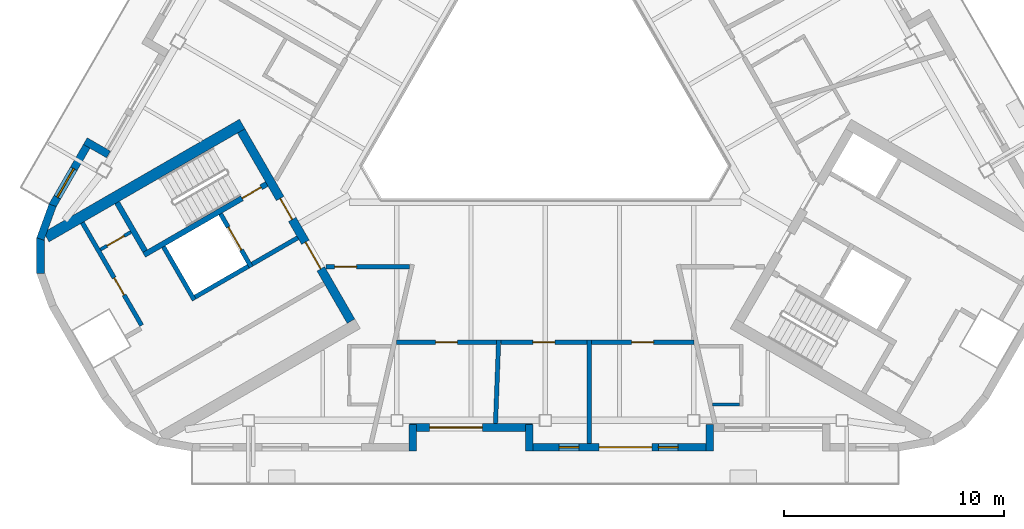
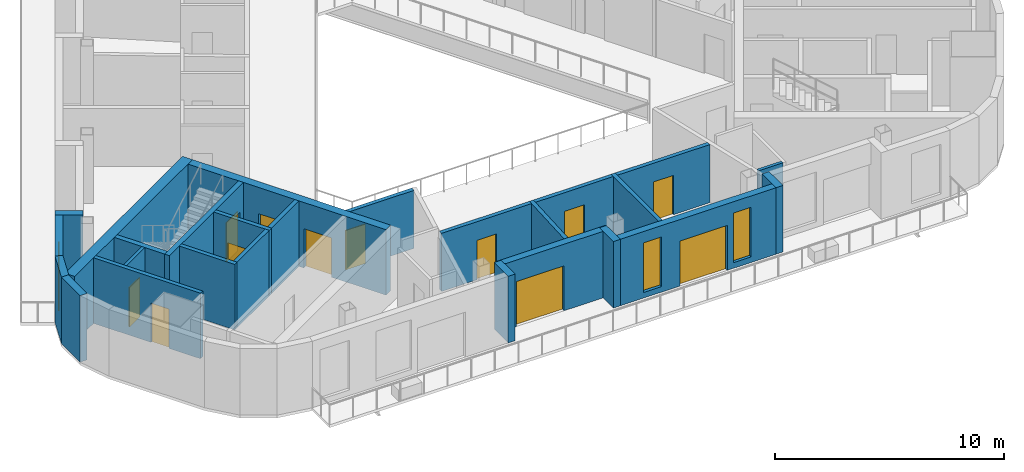
# One storey, part 3 of 12: 26 walls, 12 doors, 3 windows, 15 openings.
"""IFC4 building model written with IfcOpenShell, lengths in metres."""

from ifc_helpers import new_model, si_unit, direction, frame, frame_2d, origin, place, context, subcontext, project, spatial, rectangle, extrude, material, layer, layer_set, type_object, element, fill, save


model = new_model("IFC4")

# Units and contexts
model_context = context("Model", 3, precision=1e-05, world=origin(), true_north=direction((0.0, 1.0)))
body_context = subcontext(model_context, "Body", "Model", "MODEL_VIEW")
ifc_project = project(units=[si_unit("LENGTHUNIT", "METRE"), si_unit("AREAUNIT", "SQUARE_METRE"), si_unit("VOLUMEUNIT", "CUBIC_METRE"), si_unit("PLANEANGLEUNIT", "RADIAN"), si_unit("MASSUNIT", "GRAM", prefix="KILO")], contexts=[model_context])

# Site, building, storey
site_placement = place(None, origin())
site = spatial("IfcSite", under=ifc_project, at=site_placement, CompositionType="ELEMENT")
building_placement = place(site_placement, origin())
building = spatial("IfcBuilding", under=site, at=building_placement, Name="Apuvela Tower Hotel", CompositionType="ELEMENT")
storey_placement = place(building_placement, frame((0.0, 0.0, 305.89990234375)))
storey = spatial("IfcBuildingStorey", under=building, at=storey_placement, Name="L76", CompositionType="ELEMENT", Elevation=305.89990234375)

# Wall, openings, doors
ifc_material_1 = material(Name="Concrete C50/60", Category="concrete")
ifc_layer_1 = layer(ifc_material_1, 0.39990234375)
ifc_layer_set_1 = layer_set([ifc_layer_1], Name="COR-WALL-CORE-400")
wall_type_1 = type_object("IfcWallType", Name="COR-WALL-CORE-400", PredefinedType="SHEAR", material=ifc_layer_set_1)
wall_1_placement = place(storey_placement, frame((-13.844970703125, -2.219970703125, 0.0), z_axis=(0.0, 0.0, 1.0), x_axis=(0.500004234368, -0.866022959057, 0.0)))
wall_1 = element("IfcWall", 1, at=wall_1_placement, inside=storey, type_object=wall_type_1, Name="Core wall SW", PredefinedType="SHEAR", context=body_context, shape_type="SweptSolid", body=[
    extrude(rectangle(XDim=10.0, YDim=0.39990234375, at=frame_2d((5.0, 0.0))), origin(), (0.0, 0.0, 1.0), 3.5),
])
opening_1_placement = place(wall_1_placement, frame((3.550048828125, 0.0, 0.0)))
opening_1 = element("IfcOpeningElement", 2, at=opening_1_placement, cuts=wall_1, Name="Opening W-FD", PredefinedType="OPENING", context=body_context, shape_type="SweptSolid", body=[
    extrude(rectangle(XDim=1.10009765625, YDim=2.10009765625, at=frame_2d((0.550048828125, 1.050048828125))), frame((0.0, 0.2099609375, 0.0), z_axis=(0.0, -1.0, 0.0), x_axis=(1.0, 0.0, 0.0)), (0.0, 0.0, 1.0), 0.419921875),
])
opening_2_placement = place(wall_1_placement, frame((5.85009765625, 0.0, 0.0)))
opening_2 = element("IfcOpeningElement", 3, at=opening_2_placement, cuts=wall_1, Name="Opening W-GD", PredefinedType="OPENING", context=body_context, shape_type="SweptSolid", body=[
    extrude(rectangle(XDim=1.39990234375, YDim=2.10009765625, at=frame_2d((0.699951171875, 1.050048828125))), frame((0.0, 0.2099609375, 0.0), z_axis=(0.0, -1.0, 0.0), x_axis=(1.0, 0.0, 0.0)), (0.0, 0.0, 1.0), 0.419921875),
])
ifc_material_2 = material(Name="Steel fire door, powder coated", Category="steel")
door_type_1 = type_object("IfcDoorType", Name="COR-FD-1100", OperationType="NOTDEFINED", PredefinedType="DOOR", material=ifc_material_2)
door_1_placement = place(opening_1_placement, frame((1.10009765625, 0.0, 0.0), z_axis=(0.0, 0.0, 1.0), x_axis=(-1.0, 0.0, 0.0)))
door_1 = element("IfcDoor", 4, at=door_1_placement, inside=storey, type_object=door_type_1, Name="Firefighting lobby door W-FD", OperationType="SINGLE_SWING_LEFT", OverallHeight=2.10009765625, OverallWidth=1.10009765625, PredefinedType="DOOR", context=body_context, shape_type="SweptSolid", body=[
    extrude(rectangle(XDim=1.10009765625, YDim=2.10009765625, at=frame_2d((0.550048828125, 1.050048828125))), frame((0.0, 0.02490234375, 0.0), z_axis=(0.0, -1.0, 0.0), x_axis=(1.0, 0.0, 0.0)), (0.0, 0.0, 1.0), 0.050048828125),
])
fill(opening_1, door_1)
ifc_material_3 = material(Name="Glazed steel fire door", Category="steel")
door_type_2 = type_object("IfcDoorType", Name="COR-GD-1400", OperationType="DOUBLE_DOOR_SINGLE_SWING", PredefinedType="DOOR", material=ifc_material_3)
door_2_placement = place(opening_2_placement, frame((1.39990234375, 0.0, 0.0), z_axis=(0.0, 0.0, 1.0), x_axis=(-1.0, 0.0, 0.0)))
door_2 = element("IfcDoor", 5, at=door_2_placement, inside=storey, type_object=door_type_2, Name="Lift lobby door W-GD", OperationType="DOUBLE_DOOR_SINGLE_SWING", OverallHeight=2.10009765625, OverallWidth=1.39990234375, PredefinedType="DOOR", context=body_context, shape_type="SweptSolid", body=[
    extrude(rectangle(XDim=1.39990234375, YDim=2.10009765625, at=frame_2d((0.699951171875, 1.050048828125))), frame((0.0, 0.02490234375, 0.0), z_axis=(0.0, -1.0, 0.0), x_axis=(1.0, 0.0, 0.0)), (0.0, 0.0, 1.0), 0.050048828125),
])
fill(opening_2, door_2)

# Wall
ifc_layer_2 = layer(ifc_material_1, 0.5)
ifc_layer_set_2 = layer_set([ifc_layer_2], Name="COR-WALL-CORE-500")
wall_type_2 = type_object("IfcWallType", Name="COR-WALL-CORE-500", PredefinedType="SHEAR", material=ifc_layer_set_2)
wall_2_placement = place(storey_placement, frame((-13.796630859375, -1.9033203125, 0.0), z_axis=(0.0, 0.0, 1.0), x_axis=(-0.866027279078, -0.499996751883, 0.0)))
element("IfcWall", 6, at=wall_2_placement, inside=storey, type_object=wall_type_2, Name="Core wall SW", PredefinedType="SHEAR", context=body_context, shape_type="SweptSolid", body=[
    extrude(rectangle(XDim=10.29833984375, YDim=0.5, at=frame_2d((5.149169921875, 0.0))), origin(), (0.0, 0.0, 1.0), 3.5),
])

# Wall, opening, door
ifc_material_4 = material(Name="Blockwork 150 mm plastered", Category="masonry")
ifc_layer_3 = layer(ifc_material_4, 0.14990234375)
ifc_layer_set_3 = layer_set([ifc_layer_3], Name="COR-WALL-PART-150")
wall_type_3 = type_object("IfcWallType", Name="COR-WALL-PART-150", PredefinedType="PARTITIONING", material=ifc_layer_set_3)
wall_3_placement = place(storey_placement, frame((-18.866455078125, -6.822265625, 0.0), z_axis=(0.0, 0.0, 1.0), x_axis=(-0.866028054938, -0.499995408039, 0.0)))
wall_3 = element("IfcWall", 7, at=wall_3_placement, inside=storey, type_object=wall_type_3, Name="Partition SW", PredefinedType="PARTITIONING", context=body_context, shape_type="SweptSolid", body=[
    extrude(rectangle(XDim=1.60009765625, YDim=0.14990234375, at=frame_2d((0.800048828125, 0.0))), origin(), (0.0, 0.0, 1.0), 3.5),
])
opening_3_placement = place(wall_3_placement, frame((0.35009765625, 0.0, 0.0)))
opening_3 = element("IfcOpeningElement", 8, at=opening_3_placement, cuts=wall_3, Name="Opening W-RD", PredefinedType="OPENING", context=body_context, shape_type="SweptSolid", body=[
    extrude(rectangle(XDim=0.89990234375, YDim=2.10009765625, at=frame_2d((0.449951171875, 1.050048828125))), frame((0.0, 0.0849609375, 0.0), z_axis=(0.0, -1.0, 0.0), x_axis=(1.0, 0.0, 0.0)), (0.0, 0.0, 1.0), 0.169921875),
])
ifc_material_5 = material(Name="Steel access door, powder coated", Category="steel")
door_type_3 = type_object("IfcDoorType", Name="COR-RD-900", OperationType="NOTDEFINED", PredefinedType="DOOR", material=ifc_material_5)
door_3_placement = place(opening_3_placement, frame((0.89990234375, 0.0, 0.0), z_axis=(0.0, 0.0, 1.0), x_axis=(-1.0, 0.0, 0.0)))
door_3 = element("IfcDoor", 9, at=door_3_placement, inside=storey, type_object=door_type_3, Name="Riser door W-RD", OperationType="SINGLE_SWING_RIGHT", OverallHeight=2.10009765625, OverallWidth=0.89990234375, PredefinedType="DOOR", context=body_context, shape_type="SweptSolid", body=[
    extrude(rectangle(XDim=0.89990234375, YDim=2.10009765625, at=frame_2d((0.449951171875, 1.050048828125))), frame((0.0, 0.02490234375, 0.0), z_axis=(0.0, -1.0, 0.0), x_axis=(1.0, 0.0, 0.0)), (0.0, 0.0, 1.0), 0.050048828125),
])
fill(opening_3, door_3)

ifc_material_6 = material(Name="Blockwork 200 mm plastered", Category="masonry")
ifc_layer_4 = layer(ifc_material_6, 0.199951171875)
ifc_layer_set_4 = layer_set([ifc_layer_4], Name="COR-WALL-PART-200")
wall_type_4 = type_object("IfcWallType", Name="COR-WALL-PART-200", PredefinedType="PARTITIONING", material=ifc_layer_set_4)
wall_4_placement = place(storey_placement, frame((-21.076171875, -6.39501953125, 0.0), z_axis=(0.0, 0.0, 1.0), x_axis=(0.50001468107, -0.866016927499, 0.0)))
wall_4 = element("IfcWall", 10, at=wall_4_placement, inside=storey, type_object=wall_type_4, Name="Partition SW", PredefinedType="PARTITIONING", context=body_context, shape_type="SweptSolid", body=[
    extrude(rectangle(XDim=5.399658203125, YDim=0.199951171875, at=frame_2d((2.69970703125, 0.0))), origin(), (0.0, 0.0, 1.0), 3.5),
])
opening_4_placement = place(wall_4_placement, frame((2.89990234375, 0.0, 0.0)))
opening_4 = element("IfcOpeningElement", 11, at=opening_4_placement, cuts=wall_4, Name="Opening W-RS1", PredefinedType="OPENING", context=body_context, shape_type="SweptSolid", body=[
    extrude(rectangle(XDim=0.89990234375, YDim=2.10009765625, at=frame_2d((0.449951171875, 1.050048828125))), frame((0.0, 0.10986328125, 0.0), z_axis=(0.0, -1.0, 0.0), x_axis=(1.0, 0.0, 0.0)), (0.0, 0.0, 1.0), 0.219970703125),
])
door_type_4 = type_object("IfcDoorType", Name="COR-DR-900", OperationType="NOTDEFINED", PredefinedType="DOOR", material=ifc_material_2)
door_4_placement = place(opening_4_placement, frame((0.89990234375, 0.0, 0.0), z_axis=(0.0, 0.0, 1.0), x_axis=(-1.0, 0.0, 0.0)))
door_4 = element("IfcDoor", 12, at=door_4_placement, inside=storey, type_object=door_type_4, Name="Store door W-RS1", OperationType="SINGLE_SWING_LEFT", OverallHeight=2.10009765625, OverallWidth=0.89990234375, PredefinedType="DOOR", context=body_context, shape_type="SweptSolid", body=[
    extrude(rectangle(XDim=0.89990234375, YDim=2.10009765625, at=frame_2d((0.449951171875, 1.050048828125))), frame((0.0, 0.02490234375, 0.0), z_axis=(0.0, -1.0, 0.0), x_axis=(1.0, 0.0, 0.0)), (0.0, 0.0, 1.0), 0.050048828125),
])
fill(opening_4, door_4)

# Wall
ifc_layer_5 = layer(ifc_material_1, 0.199951171875)
ifc_layer_set_5 = layer_set([ifc_layer_5], Name="COR-WALL-SHAFT-200")
wall_type_5 = type_object("IfcWallType", Name="COR-WALL-SHAFT-200", PredefinedType="SHEAR", material=ifc_layer_set_5)
wall_5_placement = place(storey_placement, frame((-17.38134765625, -7.49462890625, 0.0), z_axis=(0.0, 0.0, 1.0), x_axis=(0.500011755427, -0.866018616679, 0.0)))
element("IfcWall", 13, at=wall_5_placement, inside=storey, type_object=wall_type_5, Name="Shaft wall SW", PredefinedType="SHEAR", context=body_context, shape_type="SweptSolid", body=[
    extrude(rectangle(XDim=2.80029296875, YDim=0.199951171875, at=frame_2d((1.400146484375, 0.0))), origin(), (0.0, 0.0, 1.0), 3.5),
])

# Wall, opening, door
wall_6_placement = place(storey_placement, frame((-14.783203125, -5.99462890625, 0.0), z_axis=(0.0, 0.0, 1.0), x_axis=(0.49994636267, -0.866056369097, 0.0)))
wall_6 = element("IfcWall", 14, at=wall_6_placement, inside=storey, type_object=wall_type_5, Name="Shaft wall SW", PredefinedType="SHEAR", context=body_context, shape_type="SweptSolid", body=[
    extrude(rectangle(XDim=2.800048828125, YDim=0.199951171875, at=frame_2d((1.39990234375, 0.0))), origin(), (0.0, 0.0, 1.0), 3.5),
])
opening_5_placement = place(wall_6_placement, frame((0.699951171875, 0.0, 0.0)))
opening_5 = element("IfcOpeningElement", 15, at=opening_5_placement, cuts=wall_6, Name="Opening W-LD-FS2", PredefinedType="OPENING", context=body_context, shape_type="SweptSolid", body=[
    extrude(rectangle(XDim=1.199951171875, YDim=2.10009765625, at=frame_2d((0.60009765625, 1.050048828125))), frame((0.0, 0.10986328125, 0.0), z_axis=(0.0, -1.0, 0.0), x_axis=(1.0, 0.0, 0.0)), (0.0, 0.0, 1.0), 0.219970703125),
])
ifc_material_7 = material(Name="Stainless steel lift landing door", Category="steel")
door_type_5 = type_object("IfcDoorType", Name="COR-LD-1200", OperationType="DOUBLE_DOOR_SLIDING", PredefinedType="DOOR", material=ifc_material_7)
door_5_placement = place(opening_5_placement, origin())
door_5 = element("IfcDoor", 16, at=door_5_placement, inside=storey, type_object=door_type_5, Name="Lift landing door W-LD-FS2", OperationType="DOUBLE_DOOR_SLIDING", OverallHeight=2.10009765625, OverallWidth=1.199951171875, PredefinedType="DOOR", context=body_context, shape_type="SweptSolid", body=[
    extrude(rectangle(XDim=1.199951171875, YDim=2.10009765625, at=frame_2d((0.60009765625, 1.050048828125))), frame((0.0, 0.02490234375, 0.0), z_axis=(0.0, -1.0, 0.0), x_axis=(1.0, 0.0, 0.0)), (0.0, 0.0, 1.0), 0.050048828125),
])
fill(opening_5, door_5)

# Walls
wall_7_placement = place(storey_placement, frame((-13.519775390625, -8.383056640625, 0.0), z_axis=(0.0, 0.0, 1.0), x_axis=(-0.866034573852, -0.49998411664, 0.0)))
element("IfcWall", 17, at=wall_7_placement, inside=storey, type_object=wall_type_5, Name="Shaft wall SW", PredefinedType="SHEAR", context=body_context, shape_type="SweptSolid", body=[
    extrude(rectangle(XDim=2.7998046875, YDim=0.199951171875, at=frame_2d((1.39990234375, 0.0))), origin(), (0.0, 0.0, 1.0), 3.5),
])
wall_8_placement = place(storey_placement, frame((-11.26806640625, -7.0830078125, 0.0), z_axis=(0.0, 0.0, 1.0), x_axis=(-0.866050077142, -0.499957262057, 0.0)))
element("IfcWall", 18, at=wall_8_placement, inside=storey, type_object=wall_type_5, Name="Shaft wall SW", PredefinedType="SHEAR", context=body_context, shape_type="SweptSolid", body=[
    extrude(rectangle(XDim=2.400146484375, YDim=0.199951171875, at=frame_2d((1.2001953125, 0.0))), origin(), (0.0, 0.0, 1.0), 3.5),
])

# Wall, opening, door
ifc_layer_6 = layer(ifc_material_1, 0.25)
ifc_layer_set_6 = layer_set([ifc_layer_6], Name="COR-WALL-STAIR-250")
wall_type_6 = type_object("IfcWallType", Name="COR-WALL-STAIR-250", PredefinedType="SHEAR", material=ifc_layer_set_6)
wall_9_placement = place(storey_placement, frame((-12.6806640625, -4.636474609375, 0.0), z_axis=(0.0, 0.0, 1.0), x_axis=(-0.866021702275, -0.500006411147, 0.0)))
wall_9 = element("IfcWall", 19, at=wall_9_placement, inside=storey, type_object=wall_type_6, Name="Stair wall SW", PredefinedType="SHEAR", context=body_context, shape_type="SweptSolid", body=[
    extrude(rectangle(XDim=6.4501953125, YDim=0.25, at=frame_2d((3.22509765625, 0.0))), origin(), (0.0, 0.0, 1.0), 3.5),
])
opening_6_placement = place(wall_9_placement, frame((0.300048828125, 0.0, 0.0)))
opening_6 = element("IfcOpeningElement", 20, at=opening_6_placement, cuts=wall_9, Name="Opening W-SD", PredefinedType="OPENING", context=body_context, shape_type="SweptSolid", body=[
    extrude(rectangle(XDim=1.0, YDim=2.10009765625, at=frame_2d((0.5, 1.050048828125))), frame((0.0, 0.135009765625, 0.0), z_axis=(0.0, -1.0, 0.0), x_axis=(1.0, 0.0, 0.0)), (0.0, 0.0, 1.0), 0.27001953125),
])
door_type_6 = type_object("IfcDoorType", Name="COR-SD-1000", OperationType="NOTDEFINED", PredefinedType="DOOR", material=ifc_material_2)
door_6_placement = place(opening_6_placement, frame((1.0, 0.0, 0.0), z_axis=(0.0, 0.0, 1.0), x_axis=(-1.0, 0.0, 0.0)))
door_6 = element("IfcDoor", 21, at=door_6_placement, inside=storey, type_object=door_type_6, Name="Stair door W-SD", OperationType="SINGLE_SWING_LEFT", OverallHeight=2.10009765625, OverallWidth=1.0, PredefinedType="DOOR", context=body_context, shape_type="SweptSolid", body=[
    extrude(rectangle(XDim=1.0, YDim=2.10009765625, at=frame_2d((0.5, 1.050048828125))), frame((0.0, 0.02490234375, 0.0), z_axis=(0.0, -1.0, 0.0), x_axis=(1.0, 0.0, 0.0)), (0.0, 0.0, 1.0), 0.050048828125),
])
fill(opening_6, door_6)

# Walls
wall_10_placement = place(storey_placement, frame((-19.49560546875, -5.482421875, 0.0), z_axis=(0.0, 0.0, 1.0), x_axis=(0.499990435942, -0.866030925526, 0.0)))
element("IfcWall", 22, at=wall_10_placement, inside=storey, type_object=wall_type_6, Name="Stair wall SW", PredefinedType="SHEAR", context=body_context, shape_type="SweptSolid", body=[
    extrude(rectangle(XDim=2.5498046875, YDim=0.25, at=frame_2d((1.27490234375, 0.0))), origin(), (0.0, 0.0, 1.0), 3.5),
])
ifc_material_8 = material(Name="Concrete C40/50, dark pigmented precast panel", Category="concrete")
ifc_layer_7 = layer(ifc_material_8, 0.35009765625)
ifc_layer_set_7 = layer_set([ifc_layer_7], Name="ENV-WALL-350")
wall_type_7 = type_object("IfcWallType", Name="ENV-WALL-350", PredefinedType="SOLIDWALL", material=ifc_layer_set_7)
wall_11_placement = place(storey_placement, frame((-19.88427734375, -3.291748046875, 0.0), z_axis=(0.0, 0.0, 1.0), x_axis=(-0.866005645448, 0.500034220881, 0.0)))
element("IfcWall", 23, at=wall_11_placement, inside=storey, type_object=wall_type_7, Name="External wall L76-08", PredefinedType="SOLIDWALL", context=body_context, shape_type="SweptSolid", body=[
    extrude(rectangle(XDim=1.22021484375, YDim=0.35009765625, at=frame_2d((0.610107421875, 0.0))), origin(), (0.0, 0.0, 1.0), 3.550048828125),
])

# Wall, opening, window
wall_12_placement = place(storey_placement, frame((-20.701904296875, -2.61767578125, 0.0), z_axis=(0.0, 0.0, 1.0), x_axis=(-0.499979528911, -0.866037222451, 0.0)))
wall_12 = element("IfcWall", 24, at=wall_12_placement, inside=storey, type_object=wall_type_7, Name="External wall L76-09", PredefinedType="SOLIDWALL", context=body_context, shape_type="SweptSolid", body=[
    extrude(rectangle(XDim=3.480224609375, YDim=0.35009765625, at=frame_2d((1.740234375, 0.0))), origin(), (0.0, 0.0, 1.0), 3.550048828125),
])
opening_7_placement = place(wall_12_placement, frame((1.52490234375, 0.0, 0.300048828125)))
opening_7 = element("IfcOpeningElement", 25, at=opening_7_placement, cuts=wall_12, Name="Opening WN15", PredefinedType="OPENING", context=body_context, shape_type="SweptSolid", body=[
    extrude(rectangle(XDim=1.5, YDim=2.64990234375, at=frame_2d((0.75, 1.324951171875))), frame((0.0, 0.18505859375, 0.0), z_axis=(0.0, -1.0, 0.0), x_axis=(1.0, 0.0, 0.0)), (0.0, 0.0, 1.0), 0.3701171875),
])
ifc_material_9 = material(Name="Glass, dark tinted laminated insulated glazing unit", Category="glass")
window_type_1 = type_object("IfcWindowType", Name="ENV-WIN-1500x2650", PartitioningType="SINGLE_PANEL", PredefinedType="WINDOW", material=ifc_material_9)
window_1_placement = place(opening_7_placement, origin())
window_1 = element("IfcWindow", 26, at=window_1_placement, inside=storey, type_object=window_type_1, Name="Window WN15", OverallHeight=2.64990234375, OverallWidth=1.5, PartitioningType="SINGLE_PANEL", PredefinedType="WINDOW", context=body_context, shape_type="SweptSolid", body=[
    extrude(rectangle(XDim=1.5, YDim=2.64990234375, at=frame_2d((0.75, 1.324951171875))), frame((0.0, 0.030029296875, 0.0), z_axis=(0.0, -1.0, 0.0), x_axis=(1.0, 0.0, 0.0)), (0.0, 0.0, 1.0), 0.06005859375),
])
fill(opening_7, window_1)

# Walls
for number, where, z_axis, x_axis, name in (
    (27, (-22.42919921875, -5.603759765625, 0.0), (0.0, 0.0, 1.0), (-0.34192296291, -0.939727985874, 0.0), "External wall L76-10"),
    (28, (-22.977294921875, -7.07958984375, 0.0), (0.0, 0.0, 1.0), (0.0, -1.0, 0.0), "External wall L76-11"),
):
    element("IfcWall", number, at=place(storey_placement, frame(where, z_axis=z_axis, x_axis=x_axis)), inside=storey, type_object=wall_type_7, Name=name, PredefinedType="SOLIDWALL", context=body_context, shape_type="SweptSolid", body=[
        extrude(rectangle(XDim=1.63427734375, YDim=0.35009765625, at=frame_2d((0.817138671875, 0.0))), origin(), (0.0, 0.0, 1.0), 3.550048828125),
    ])
wall_13_placement = place(storey_placement, frame((-6.033935546875, -16.794677734375, 0.0), z_axis=(0.0, 0.0, 1.0), x_axis=(0.0, 1.0, 0.0)))
element("IfcWall", 29, at=wall_13_placement, inside=storey, type_object=wall_type_7, Name="External wall L76-18", PredefinedType="SOLIDWALL", context=body_context, shape_type="SweptSolid", body=[
    extrude(rectangle(XDim=1.219970703125, YDim=0.35009765625, at=frame_2d((0.60986328125, 0.0))), origin(), (0.0, 0.0, 1.0), 3.550048828125),
])

# Wall, opening, door
wall_14_placement = place(storey_placement, frame((-6.178955078125, -15.719482421875, 0.0), z_axis=(0.0, 0.0, 1.0), x_axis=(1.0, 0.0, 0.0)))
wall_14 = element("IfcWall", 30, at=wall_14_placement, inside=storey, type_object=wall_type_7, Name="External wall L76-19", PredefinedType="SOLIDWALL", context=body_context, shape_type="SweptSolid", body=[
    extrude(rectangle(XDim=5.598876953125, YDim=0.35009765625, at=frame_2d((2.79931640625, 0.0))), origin(), (0.0, 0.0, 1.0), 3.550048828125),
])
opening_8_placement = place(wall_14_placement, frame((0.916259765625, 0.0, 0.0)))
opening_8 = element("IfcOpeningElement", 31, at=opening_8_placement, cuts=wall_14, Name="Opening BD24", PredefinedType="OPENING", context=body_context, shape_type="SweptSolid", body=[
    extrude(rectangle(XDim=2.39990234375, YDim=2.39990234375, at=frame_2d((1.199951171875, 1.199951171875))), frame((0.0, 0.18505859375, 0.0), z_axis=(0.0, -1.0, 0.0), x_axis=(1.0, 0.0, 0.0)), (0.0, 0.0, 1.0), 0.3701171875),
])
ifc_material_10 = material(Name="Aluminium 6063-T6, dark bronze anodised frame with dark tinted laminated glass", Category="aluminium")
door_type_7 = type_object("IfcDoorType", Name="ENV-DOOR-BALCONY-2400x2400", OperationType="SLIDING_TO_LEFT", PredefinedType="DOOR", material=ifc_material_10)
door_7_placement = place(opening_8_placement, frame((2.39990234375, 0.0, 0.0), z_axis=(0.0, 0.0, 1.0), x_axis=(-1.0, 0.0, 0.0)))
door_7 = element("IfcDoor", 32, at=door_7_placement, inside=storey, type_object=door_type_7, Name="Balcony door BD24", OperationType="SLIDING_TO_LEFT", OverallHeight=2.39990234375, OverallWidth=2.39990234375, PredefinedType="DOOR", context=body_context, shape_type="SweptSolid", body=[
    extrude(rectangle(XDim=2.39990234375, YDim=2.39990234375, at=frame_2d((1.199951171875, 1.199951171875))), frame((0.0, 0.02490234375, 0.0), z_axis=(0.0, -1.0, 0.0), x_axis=(1.0, 0.0, 0.0)), (0.0, 0.0, 1.0), 0.050048828125),
])
fill(opening_8, door_7)

# Wall
wall_15_placement = place(storey_placement, frame((-0.72509765625, -15.57470703125, 0.0), z_axis=(0.0, 0.0, 1.0), x_axis=(0.0, -1.0, 0.0)))
element("IfcWall", 33, at=wall_15_placement, inside=storey, type_object=wall_type_7, Name="External wall L76-20", PredefinedType="SOLIDWALL", context=body_context, shape_type="SweptSolid", body=[
    extrude(rectangle(XDim=1.219970703125, YDim=0.35009765625, at=frame_2d((0.60986328125, 0.0))), origin(), (0.0, 0.0, 1.0), 3.550048828125),
])

# Wall, openings, door, windows
wall_16_placement = place(storey_placement, frame((-0.89990234375, -16.61962890625, 0.0), z_axis=(0.0, 0.0, 1.0), x_axis=(1.0, 0.0, 0.0)))
wall_16 = element("IfcWall", 34, at=wall_16_placement, inside=storey, type_object=wall_type_7, Name="External wall L76-21", PredefinedType="SOLIDWALL", context=body_context, shape_type="SweptSolid", body=[
    extrude(rectangle(XDim=8.558837890625, YDim=0.35009765625, at=frame_2d((4.279296875, 0.0))), origin(), (0.0, 0.0, 1.0), 3.550048828125),
])
opening_9_placement = place(wall_16_placement, frame((1.525390625, 0.0, 0.300048828125)))
opening_9 = element("IfcOpeningElement", 35, at=opening_9_placement, cuts=wall_16, Name="Opening WN09", PredefinedType="OPENING", context=body_context, shape_type="SweptSolid", body=[
    extrude(rectangle(XDim=0.89990234375, YDim=2.64990234375, at=frame_2d((0.449951171875, 1.324951171875))), frame((0.0, 0.18505859375, 0.0), z_axis=(0.0, -1.0, 0.0), x_axis=(1.0, 0.0, 0.0)), (0.0, 0.0, 1.0), 0.3701171875),
])
opening_10_placement = place(wall_16_placement, frame((3.349609375, 0.0, 0.0)))
opening_10 = element("IfcOpeningElement", 36, at=opening_10_placement, cuts=wall_16, Name="Opening BD24", PredefinedType="OPENING", context=body_context, shape_type="SweptSolid", body=[
    extrude(rectangle(XDim=2.39990234375, YDim=2.39990234375, at=frame_2d((1.199951171875, 1.199951171875))), frame((0.0, 0.18505859375, 0.0), z_axis=(0.0, -1.0, 0.0), x_axis=(1.0, 0.0, 0.0)), (0.0, 0.0, 1.0), 0.3701171875),
])
opening_11_placement = place(wall_16_placement, frame((6.049560546875, 0.0, 0.300048828125)))
opening_11 = element("IfcOpeningElement", 37, at=opening_11_placement, cuts=wall_16, Name="Opening WN09", PredefinedType="OPENING", context=body_context, shape_type="SweptSolid", body=[
    extrude(rectangle(XDim=0.89990234375, YDim=2.64990234375, at=frame_2d((0.449951171875, 1.324951171875))), frame((0.0, 0.18505859375, 0.0), z_axis=(0.0, -1.0, 0.0), x_axis=(1.0, 0.0, 0.0)), (0.0, 0.0, 1.0), 0.3701171875),
])
door_8_placement = place(opening_10_placement, frame((2.39990234375, 0.0, 0.0), z_axis=(0.0, 0.0, 1.0), x_axis=(-1.0, 0.0, 0.0)))
door_8 = element("IfcDoor", 38, at=door_8_placement, inside=storey, type_object=door_type_7, Name="Balcony door BD24", OperationType="SLIDING_TO_LEFT", OverallHeight=2.39990234375, OverallWidth=2.39990234375, PredefinedType="DOOR", context=body_context, shape_type="SweptSolid", body=[
    extrude(rectangle(XDim=2.39990234375, YDim=2.39990234375, at=frame_2d((1.199951171875, 1.199951171875))), frame((0.0, 0.02490234375, 0.0), z_axis=(0.0, -1.0, 0.0), x_axis=(1.0, 0.0, 0.0)), (0.0, 0.0, 1.0), 0.050048828125),
])
fill(opening_10, door_8)
window_type_2 = type_object("IfcWindowType", Name="ENV-WIN-900x2650", PartitioningType="SINGLE_PANEL", PredefinedType="WINDOW", material=ifc_material_9)
window_2_placement = place(opening_9_placement, origin())
window_2 = element("IfcWindow", 39, at=window_2_placement, inside=storey, type_object=window_type_2, Name="Window WN09", OverallHeight=2.64990234375, OverallWidth=0.89990234375, PartitioningType="SINGLE_PANEL", PredefinedType="WINDOW", context=body_context, shape_type="SweptSolid", body=[
    extrude(rectangle(XDim=0.89990234375, YDim=2.64990234375, at=frame_2d((0.449951171875, 1.324951171875))), frame((0.0, 0.030029296875, 0.0), z_axis=(0.0, -1.0, 0.0), x_axis=(1.0, 0.0, 0.0)), (0.0, 0.0, 1.0), 0.06005859375),
])
fill(opening_9, window_2)
window_3_placement = place(opening_11_placement, origin())
window_3 = element("IfcWindow", 40, at=window_3_placement, inside=storey, type_object=window_type_2, Name="Window WN09", OverallHeight=2.64990234375, OverallWidth=0.89990234375, PartitioningType="SINGLE_PANEL", PredefinedType="WINDOW", context=body_context, shape_type="SweptSolid", body=[
    extrude(rectangle(XDim=0.89990234375, YDim=2.64990234375, at=frame_2d((0.449951171875, 1.324951171875))), frame((0.0, 0.030029296875, 0.0), z_axis=(0.0, -1.0, 0.0), x_axis=(1.0, 0.0, 0.0)), (0.0, 0.0, 1.0), 0.06005859375),
])
fill(opening_11, window_3)

# Walls
wall_17_placement = place(storey_placement, frame((7.48388671875, -16.794677734375, 0.0), z_axis=(0.0, 0.0, 1.0), x_axis=(0.0, 1.0, 0.0)))
element("IfcWall", 41, at=wall_17_placement, inside=storey, type_object=wall_type_7, Name="External wall L76-22", PredefinedType="SOLIDWALL", context=body_context, shape_type="SweptSolid", body=[
    extrude(rectangle(XDim=1.219970703125, YDim=0.35009765625, at=frame_2d((0.60986328125, 0.0))), origin(), (0.0, 0.0, 1.0), 3.550048828125),
])
ifc_material_11 = material(Name="Gypsum board partition on twin steel stud", Category="steel")
ifc_layer_8 = layer(ifc_material_11, 0.199951171875)
ifc_layer_set_8 = layer_set([ifc_layer_8], Name="GST-PW1")
wall_type_8 = type_object("IfcWallType", Name="GST-PW1", PredefinedType="PARTITIONING", material=ifc_layer_set_8)
wall_18_placement = place(storey_placement, frame((-2.26611328125, -15.544677734375, 0.0), z_axis=(0.0, 0.0, 1.0), x_axis=(0.037750136795, 0.999287209551, 0.0)))
element("IfcWall", 42, at=wall_18_placement, inside=storey, type_object=wall_type_8, Name="L76 partition 02", PredefinedType="PARTITIONING", context=body_context, shape_type="SweptSolid", body=[
    extrude(rectangle(XDim=3.802734375, YDim=0.199951171875, at=frame_2d((1.9013671875, 0.0))), origin(), (0.0, 0.0, 1.0), 3.10009765625),
])
wall_19_placement = place(storey_placement, frame((2.0, -16.444580078125, 0.0), z_axis=(0.0, 0.0, 1.0), x_axis=(0.0, 1.0, 0.0)))
element("IfcWall", 43, at=wall_19_placement, inside=storey, type_object=wall_type_8, Name="L76 partition 03", PredefinedType="PARTITIONING", context=body_context, shape_type="SweptSolid", body=[
    extrude(rectangle(XDim=4.699951171875, YDim=0.199951171875, at=frame_2d((2.35009765625, 0.0))), origin(), (0.0, 0.0, 1.0), 3.10009765625),
])

# Wall, opening, door
ifc_material_12 = material(Name="Gypsum board corridor wall on twin steel stud, acoustic", Category="steel")
ifc_layer_9 = layer(ifc_material_12, 0.199951171875)
ifc_layer_set_9 = layer_set([ifc_layer_9], Name="GST-PW2")
wall_type_9 = type_object("IfcWallType", Name="GST-PW2", PredefinedType="PARTITIONING", material=ifc_layer_set_9)
wall_20_placement = place(storey_placement, frame((-6.1796875, -8.39990234375, 0.0), z_axis=(0.0, 0.0, 1.0), x_axis=(-1.0, 0.0, 0.0)))
wall_20 = element("IfcWall", 44, at=wall_20_placement, inside=storey, type_object=wall_type_9, Name="L76 partition 12", PredefinedType="PARTITIONING", context=body_context, shape_type="SweptSolid", body=[
    extrude(rectangle(XDim=3.80859375, YDim=0.199951171875, at=frame_2d((1.904296875, 0.0))), origin(), (0.0, 0.0, 1.0), 3.10009765625),
])
opening_12_placement = place(wall_20_placement, frame((2.40869140625, 0.0, 0.0)))
opening_12 = element("IfcOpeningElement", 45, at=opening_12_placement, cuts=wall_20, Name="Opening GD31-02", PredefinedType="OPENING", context=body_context, shape_type="SweptSolid", body=[
    extrude(rectangle(XDim=1.0, YDim=2.10009765625, at=frame_2d((0.5, 1.050048828125))), frame((0.0, 0.10986328125, 0.0), z_axis=(0.0, -1.0, 0.0), x_axis=(1.0, 0.0, 0.0)), (0.0, 0.0, 1.0), 0.219970703125),
])
ifc_material_13 = material(Name="Timber door leaf in steel frame", Category="steel")
door_type_8 = type_object("IfcDoorType", Name="GST-D1", OperationType="NOTDEFINED", PredefinedType="DOOR", material=ifc_material_13)
door_9_placement = place(opening_12_placement, origin())
door_9 = element("IfcDoor", 46, at=door_9_placement, inside=storey, type_object=door_type_8, Name="Door L76-02", OperationType="SINGLE_SWING_RIGHT", OverallHeight=2.10009765625, OverallWidth=1.0, PredefinedType="DOOR", context=body_context, shape_type="SweptSolid", body=[
    extrude(rectangle(XDim=1.0, YDim=2.10009765625, at=frame_2d((0.5, 1.050048828125))), frame((0.0, 0.02490234375, 0.0), z_axis=(0.0, -1.0, 0.0), x_axis=(1.0, 0.0, 0.0)), (0.0, 0.0, 1.0), 0.050048828125),
])
fill(opening_12, door_9)

wall_21_placement = place(storey_placement, frame((-2.226318359375, -11.844482421875, 0.0), z_axis=(0.0, 0.0, 1.0), x_axis=(-1.0, 0.0, 0.0)))
wall_21 = element("IfcWall", 47, at=wall_21_placement, inside=storey, type_object=wall_type_9, Name="L76 partition 16", PredefinedType="PARTITIONING", context=body_context, shape_type="SweptSolid", body=[
    extrude(rectangle(XDim=4.54150390625, YDim=0.199951171875, at=frame_2d((2.270751953125, 0.0))), origin(), (0.0, 0.0, 1.0), 3.10009765625),
])
opening_13_placement = place(wall_21_placement, frame((1.770751953125, 0.0, 0.0)))
opening_13 = element("IfcOpeningElement", 48, at=opening_13_placement, cuts=wall_21, Name="Opening GD31-03", PredefinedType="OPENING", context=body_context, shape_type="SweptSolid", body=[
    extrude(rectangle(XDim=1.0, YDim=2.10009765625, at=frame_2d((0.5, 1.050048828125))), frame((0.0, 0.10986328125, 0.0), z_axis=(0.0, -1.0, 0.0), x_axis=(1.0, 0.0, 0.0)), (0.0, 0.0, 1.0), 0.219970703125),
])
door_10_placement = place(opening_13_placement, origin())
door_10 = element("IfcDoor", 49, at=door_10_placement, inside=storey, type_object=door_type_8, Name="Door L76-03", OperationType="SINGLE_SWING_LEFT", OverallHeight=2.10009765625, OverallWidth=1.0, PredefinedType="DOOR", context=body_context, shape_type="SweptSolid", body=[
    extrude(rectangle(XDim=1.0, YDim=2.10009765625, at=frame_2d((0.5, 1.050048828125))), frame((0.0, 0.02490234375, 0.0), z_axis=(0.0, -1.0, 0.0), x_axis=(1.0, 0.0, 0.0)), (0.0, 0.0, 1.0), 0.050048828125),
])
fill(opening_13, door_10)

wall_22_placement = place(storey_placement, frame((1.89990234375, -11.844482421875, 0.0), z_axis=(0.0, 0.0, 1.0), x_axis=(-1.0, 0.0, 0.0)))
wall_22 = element("IfcWall", 50, at=wall_22_placement, inside=storey, type_object=wall_type_9, Name="L76 partition 17", PredefinedType="PARTITIONING", context=body_context, shape_type="SweptSolid", body=[
    extrude(rectangle(XDim=3.926025390625, YDim=0.199951171875, at=frame_2d((1.962890625, 0.0))), origin(), (0.0, 0.0, 1.0), 3.10009765625),
])
opening_14_placement = place(wall_22_placement, frame((1.463134765625, 0.0, 0.0)))
opening_14 = element("IfcOpeningElement", 51, at=opening_14_placement, cuts=wall_22, Name="Opening GD31-04", PredefinedType="OPENING", context=body_context, shape_type="SweptSolid", body=[
    extrude(rectangle(XDim=1.0, YDim=2.10009765625, at=frame_2d((0.5, 1.050048828125))), frame((0.0, 0.10986328125, 0.0), z_axis=(0.0, -1.0, 0.0), x_axis=(1.0, 0.0, 0.0)), (0.0, 0.0, 1.0), 0.219970703125),
])
door_11_placement = place(opening_14_placement, origin())
door_11 = element("IfcDoor", 52, at=door_11_placement, inside=storey, type_object=door_type_8, Name="Door L76-04", OperationType="SINGLE_SWING_LEFT", OverallHeight=2.10009765625, OverallWidth=1.0, PredefinedType="DOOR", context=body_context, shape_type="SweptSolid", body=[
    extrude(rectangle(XDim=1.0, YDim=2.10009765625, at=frame_2d((0.5, 1.050048828125))), frame((0.0, 0.02490234375, 0.0), z_axis=(0.0, -1.0, 0.0), x_axis=(1.0, 0.0, 0.0)), (0.0, 0.0, 1.0), 0.050048828125),
])
fill(opening_14, door_11)

wall_23_placement = place(storey_placement, frame((6.767822265625, -11.844482421875, 0.0), z_axis=(0.0, 0.0, 1.0), x_axis=(-1.0, 0.0, 0.0)))
wall_23 = element("IfcWall", 53, at=wall_23_placement, inside=storey, type_object=wall_type_9, Name="L76 partition 18", PredefinedType="PARTITIONING", context=body_context, shape_type="SweptSolid", body=[
    extrude(rectangle(XDim=4.667724609375, YDim=0.199951171875, at=frame_2d((2.333984375, 0.0))), origin(), (0.0, 0.0, 1.0), 3.10009765625),
])
opening_15_placement = place(wall_23_placement, frame((1.833984375, 0.0, 0.0)))
opening_15 = element("IfcOpeningElement", 54, at=opening_15_placement, cuts=wall_23, Name="Opening GD31-05", PredefinedType="OPENING", context=body_context, shape_type="SweptSolid", body=[
    extrude(rectangle(XDim=1.0, YDim=2.10009765625, at=frame_2d((0.5, 1.050048828125))), frame((0.0, 0.10986328125, 0.0), z_axis=(0.0, -1.0, 0.0), x_axis=(1.0, 0.0, 0.0)), (0.0, 0.0, 1.0), 0.219970703125),
])
door_12_placement = place(opening_15_placement, origin())
door_12 = element("IfcDoor", 55, at=door_12_placement, inside=storey, type_object=door_type_8, Name="Door L76-05", OperationType="SINGLE_SWING_LEFT", OverallHeight=2.10009765625, OverallWidth=1.0, PredefinedType="DOOR", context=body_context, shape_type="SweptSolid", body=[
    extrude(rectangle(XDim=1.0, YDim=2.10009765625, at=frame_2d((0.5, 1.050048828125))), frame((0.0, 0.02490234375, 0.0), z_axis=(0.0, -1.0, 0.0), x_axis=(1.0, 0.0, 0.0)), (0.0, 0.0, 1.0), 0.050048828125),
])
fill(opening_15, door_12)

# Wall
ifc_material_14 = material(Name="Moisture-resistant gypsum board wet wall on steel stud", Category="steel")
ifc_layer_10 = layer(ifc_material_14, 0.14990234375)
ifc_layer_set_10 = layer_set([ifc_layer_10], Name="GST-PW3")
wall_type_10 = type_object("IfcWallType", Name="GST-PW3", PredefinedType="PARTITIONING", material=ifc_layer_set_10)
wall_24_placement = place(storey_placement, frame((7.623779296875, -14.669677734375, 0.0), z_axis=(0.0, 0.0, 1.0), x_axis=(1.0, 0.0, 0.0)))
element("IfcWall", 56, at=wall_24_placement, inside=storey, type_object=wall_type_10, Name="L76 partition 21", PredefinedType="PARTITIONING", context=body_context, shape_type="SweptSolid", body=[
    extrude(rectangle(XDim=1.222412109375, YDim=0.14990234375, at=frame_2d((0.611328125, 0.0))), origin(), (0.0, 0.0, 1.0), 3.10009765625),
])

save(model, "model.ifc")
